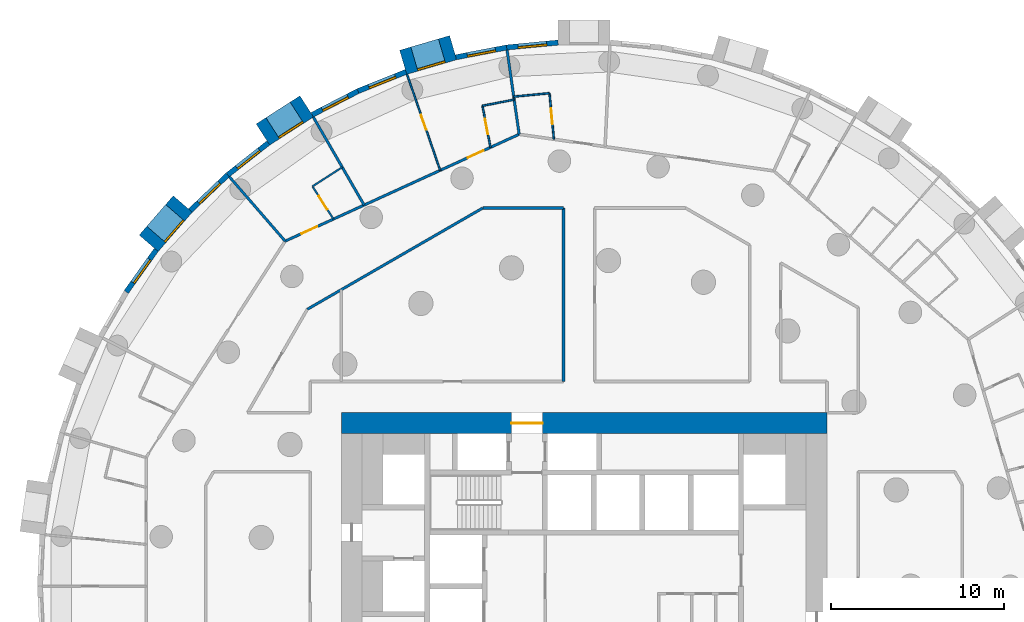
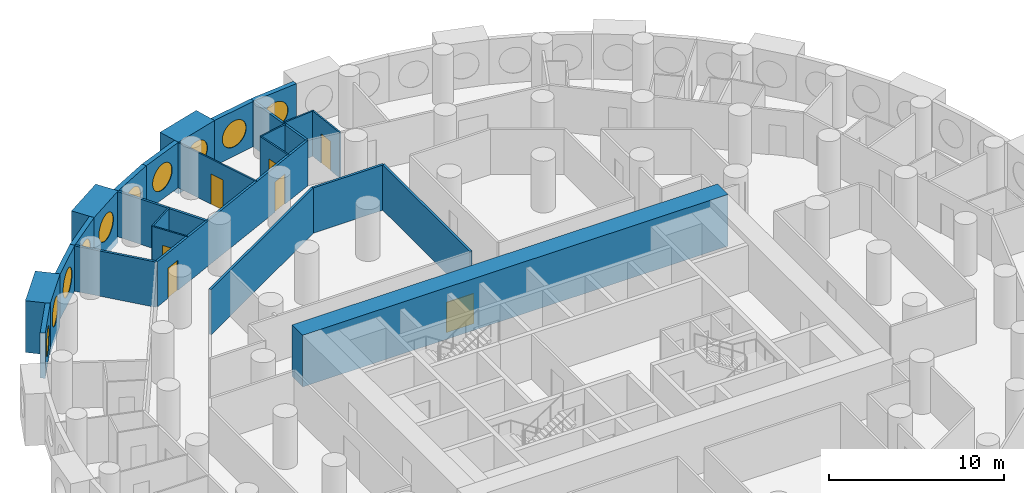
# One storey, part 8 of 12: 25 walls, 10 windows, 7 doors, 17 openings.
"""IFC4 building model written with IfcOpenShell, lengths in metres."""

from ifc_helpers import new_model, si_unit, direction, frame, frame_2d, origin, origin_2d, place, context, subcontext, project, spatial, rectangle, circle, extrude, material, layer, layer_set, type_object, element, fill, save


model = new_model("IFC4")

# Units and contexts
model_context = context("Model", 3, precision=1e-05, world=origin(), true_north=direction((0.0, 1.0)))
body_context = subcontext(model_context, "Body", "Model", "MODEL_VIEW")
ifc_project = project(units=[si_unit("LENGTHUNIT", "METRE"), si_unit("AREAUNIT", "SQUARE_METRE"), si_unit("VOLUMEUNIT", "CUBIC_METRE"), si_unit("PLANEANGLEUNIT", "RADIAN"), si_unit("MASSUNIT", "GRAM", prefix="KILO")], contexts=[model_context])

# Site, building, storey
site_placement = place(None, origin())
site = spatial("IfcSite", under=ifc_project, at=site_placement, CompositionType="ELEMENT")
building_placement = place(site_placement, origin())
building = spatial("IfcBuilding", under=site, at=building_placement, Name="Tracery Tower", CompositionType="ELEMENT")
storey_placement = place(building_placement, frame((0.0, 0.0, 111.0)))
storey = spatial("IfcBuildingStorey", under=building, at=storey_placement, Name="L28", CompositionType="ELEMENT", Elevation=111.0)

# Wall, opening, door
ifc_material_1 = material(Name="Concrete C60/75", Category="concrete")
ifc_layer_1 = layer(ifc_material_1, 1.199951171875)
ifc_layer_set_1 = layer_set([ifc_layer_1], Name="Core wall 1200 C60")
wall_type_1 = type_object("IfcWallType", Name="Core wall 1200 C60", PredefinedType="SOLIDWALL", material=ifc_layer_set_1)
wall_1_placement = place(storey_placement, frame((-14.0, 9.39990234375, 0.0), z_axis=(0.0, 0.0, 1.0), x_axis=(1.0, 0.0, 0.0)))
wall_1 = element("IfcWall", 1, at=wall_1_placement, inside=storey, type_object=wall_type_1, Name="L28 outer N", PredefinedType="SOLIDWALL", context=body_context, shape_type="SweptSolid", body=[
    extrude(rectangle(XDim=28.0, YDim=1.199951171875, at=frame_2d((14.0, 0.0))), origin(), (0.0, 0.0, 1.0), 3.60009765625),
])
opening_1_placement = place(wall_1_placement, frame((9.800048828125, 0.0, 0.0)))
opening_1 = element("IfcOpeningElement", 2, at=opening_1_placement, cuts=wall_1, Name="Opening KD13", PredefinedType="OPENING", context=body_context, shape_type="SweptSolid", body=[
    extrude(rectangle(XDim=1.800048828125, YDim=2.10009765625, at=frame_2d((0.89990234375, 1.050048828125))), frame((0.0, 0.60009765625, 0.0), z_axis=(0.0, -1.0, 0.0), x_axis=(1.0, 0.0, 0.0)), (0.0, 0.0, 1.0), 1.199951171875),
])
ifc_material_2 = material(Name="Steel fire door", Category="steel")
door_type_1 = type_object("IfcDoorType", Name="Core exit door 1800 double", OperationType="NOTDEFINED", PredefinedType="DOOR", material=ifc_material_2)
door_1_placement = place(opening_1_placement, origin())
door_1 = element("IfcDoor", 3, at=door_1_placement, inside=storey, type_object=door_type_1, Name="Core exit door", OperationType="DOUBLE_DOOR_SINGLE_SWING", OverallHeight=2.10009765625, OverallWidth=1.800048828125, PredefinedType="DOOR", context=body_context, shape_type="SweptSolid", body=[
    extrude(rectangle(XDim=1.800048828125, YDim=2.10009765625, at=frame_2d((0.89990234375, 1.050048828125))), frame((0.0, 0.02490234375, 0.0), z_axis=(0.0, -1.0, 0.0), x_axis=(1.0, 0.0, 0.0)), (0.0, 0.0, 1.0), 0.050048828125),
])
fill(opening_1, door_1)

# Wall, opening, window
ifc_material_3 = material(Name="Precast concrete C50/60", Category="concrete")
ifc_layer_2 = layer(ifc_material_3, 1.449951171875)
ifc_layer_set_2 = layer_set([ifc_layer_2], Name="Deep-set bay unit 3000 x 3600, slab edge 450")
wall_type_2 = type_object("IfcWallType", Name="Deep-set bay unit 3000 x 3600, slab edge 450", PredefinedType="ELEMENTEDWALL", material=ifc_layer_set_2)
wall_2_placement = place(storey_placement, frame((-7.552001953125, 31.043701171875, -0.449951171875), z_axis=(0.0, 0.0, 1.0), x_axis=(-0.959489813418, -0.281743319258, 0.0)))
wall_2 = element("IfcWall", 4, at=wall_2_placement, inside=storey, type_object=wall_type_2, Name="Deep-set bay unit 20 at L28", PredefinedType="ELEMENTEDWALL", context=body_context, shape_type="SweptSolid", body=[
    extrude(rectangle(XDim=3.0, YDim=1.449951171875, at=frame_2d((1.5, 0.0))), origin(), (0.0, 0.0, 1.0), 3.599853515625),
])
opening_2_placement = place(wall_2_placement, frame((1.5, 0.0, 2.0)))
opening_2 = element("IfcOpeningElement", 5, at=opening_2_placement, cuts=wall_2, Name="Opening WN1", PredefinedType="OPENING", context=body_context, shape_type="SweptSolid", body=[
    extrude(circle(Radius=0.9000244140625, at=origin_2d()), frame((0.0, 0.73486328125, 0.0), z_axis=(0.0, -1.0, 0.0), x_axis=(1.0, 0.0, 0.0)), (0.0, 0.0, 1.0), 1.469970703125),
])
ifc_material_4 = material(Name="Aluminium frame with tinted double glazing", Category="aluminium")
window_type = type_object("IfcWindowType", Name="Round window 1800", PartitioningType="SINGLE_PANEL", PredefinedType="WINDOW", material=ifc_material_4)
window_1_placement = place(opening_2_placement, origin())
window_1 = element("IfcWindow", 6, at=window_1_placement, inside=storey, type_object=window_type, Name="Round window 20 at L28", OverallHeight=1.800048828125, OverallWidth=1.800048828125, PartitioningType="SINGLE_PANEL", PredefinedType="WINDOW", context=body_context, shape_type="SweptSolid", body=[
    extrude(circle(Radius=0.9000244140625, at=origin_2d()), frame((0.0, 0.69482421875, 0.0), z_axis=(0.0, -1.0, 0.0), x_axis=(1.0, 0.0, 0.0)), (0.0, 0.0, 1.0), 0.10009765625),
])
fill(opening_2, window_1)

wall_3_placement = place(storey_placement, frame((-15.9921875, 27.65869140625, -0.449951171875), z_axis=(0.0, 0.0, 1.0), x_axis=(-0.841223422347, -0.540687667415, 0.0)))
wall_3 = element("IfcWall", 7, at=wall_3_placement, inside=storey, type_object=wall_type_2, Name="Deep-set bay unit 23 at L28", PredefinedType="ELEMENTEDWALL", context=body_context, shape_type="SweptSolid", body=[
    extrude(rectangle(XDim=3.0, YDim=1.449951171875, at=frame_2d((1.5, 0.0))), origin(), (0.0, 0.0, 1.0), 3.599853515625),
])
opening_3_placement = place(wall_3_placement, frame((1.5, 0.0, 2.0)))
opening_3 = element("IfcOpeningElement", 8, at=opening_3_placement, cuts=wall_3, Name="Opening WN1", PredefinedType="OPENING", context=body_context, shape_type="SweptSolid", body=[
    extrude(circle(Radius=0.9000244140625, at=origin_2d()), frame((0.0, 0.73486328125, 0.0), z_axis=(0.0, -1.0, 0.0), x_axis=(1.0, 0.0, 0.0)), (0.0, 0.0, 1.0), 1.469970703125),
])
window_2_placement = place(opening_3_placement, origin())
window_2 = element("IfcWindow", 9, at=window_2_placement, inside=storey, type_object=window_type, Name="Round window 23 at L28", OverallHeight=1.800048828125, OverallWidth=1.800048828125, PartitioningType="SINGLE_PANEL", PredefinedType="WINDOW", context=body_context, shape_type="SweptSolid", body=[
    extrude(circle(Radius=0.9000244140625, at=origin_2d()), frame((0.0, 0.69482421875, 0.0), z_axis=(0.0, -1.0, 0.0), x_axis=(1.0, 0.0, 0.0)), (0.0, 0.0, 1.0), 0.10009765625),
])
fill(opening_3, window_2)

wall_4_placement = place(storey_placement, frame((-23.13671875, 22.03271484375, -0.449951171875), z_axis=(0.0, 0.0, 1.0), x_axis=(-0.654890259022, -0.75572398972, 0.0)))
wall_4 = element("IfcWall", 10, at=wall_4_placement, inside=storey, type_object=wall_type_2, Name="Deep-set bay unit 26 at L28", PredefinedType="ELEMENTEDWALL", context=body_context, shape_type="SweptSolid", body=[
    extrude(rectangle(XDim=3.0, YDim=1.449951171875, at=frame_2d((1.5, 0.0))), origin(), (0.0, 0.0, 1.0), 3.599853515625),
])
opening_4_placement = place(wall_4_placement, frame((1.5, 0.0, 2.0)))
opening_4 = element("IfcOpeningElement", 11, at=opening_4_placement, cuts=wall_4, Name="Opening WN1", PredefinedType="OPENING", context=body_context, shape_type="SweptSolid", body=[
    extrude(circle(Radius=0.9000244140625, at=origin_2d()), frame((0.0, 0.73486328125, 0.0), z_axis=(0.0, -1.0, 0.0), x_axis=(1.0, 0.0, 0.0)), (0.0, 0.0, 1.0), 1.469970703125),
])
window_3_placement = place(opening_4_placement, origin())
window_3 = element("IfcWindow", 12, at=window_3_placement, inside=storey, type_object=window_type, Name="Round window 26 at L28", OverallHeight=1.800048828125, OverallWidth=1.800048828125, PartitioningType="SINGLE_PANEL", PredefinedType="WINDOW", context=body_context, shape_type="SweptSolid", body=[
    extrude(circle(Radius=0.9000244140625, at=origin_2d()), frame((0.0, 0.69482421875, 0.0), z_axis=(0.0, -1.0, 0.0), x_axis=(1.0, 0.0, 0.0)), (0.0, 0.0, 1.0), 0.10009765625),
])
fill(opening_4, window_3)

ifc_material_5 = material(Name="Precast concrete C50/60", Category="concrete")
ifc_layer_3 = layer(ifc_material_5, 0.300048828125)
ifc_layer_set_3 = layer_set([ifc_layer_3], Name="Facade panel 3000 x 3150")
wall_type_3 = type_object("IfcWallType", Name="Facade panel 3000 x 3150", PredefinedType="SOLIDWALL", material=ifc_layer_set_3)
wall_5_placement = place(storey_placement, frame((-1.498779296875, 31.33837890625, 0.0), z_axis=(0.0, 0.0, 1.0), x_axis=(-0.995473351551, -0.095041077185, 0.0)))
wall_5 = element("IfcWall", 13, at=wall_5_placement, inside=storey, type_object=wall_type_3, Name="Facade panel 18 at L28", PredefinedType="SOLIDWALL", context=body_context, shape_type="SweptSolid", body=[
    extrude(rectangle(XDim=2.979736328125, YDim=0.300048828125, at=frame_2d((1.48974609375, 0.0))), origin(), (0.0, 0.0, 1.0), 3.14990234375),
])
opening_5_placement = place(wall_5_placement, frame((1.48974609375, 0.0, 1.5498046875)))
opening_5 = element("IfcOpeningElement", 14, at=opening_5_placement, cuts=wall_5, Name="Opening WN1", PredefinedType="OPENING", context=body_context, shape_type="SweptSolid", body=[
    extrude(circle(Radius=0.9000244140625, at=origin_2d()), frame((0.0, 0.159912109375, 0.0), z_axis=(0.0, -1.0, 0.0), x_axis=(1.0, 0.0, 0.0)), (0.0, 0.0, 1.0), 0.320068359375),
])
window_4_placement = place(opening_5_placement, origin())
window_4 = element("IfcWindow", 15, at=window_4_placement, inside=storey, type_object=window_type, Name="Round window 18 at L28", OverallHeight=1.800048828125, OverallWidth=1.800048828125, PartitioningType="SINGLE_PANEL", PredefinedType="WINDOW", context=body_context, shape_type="SweptSolid", body=[
    extrude(circle(Radius=0.9000244140625, at=origin_2d()), frame((0.0, 0.1201171875, 0.0), z_axis=(0.0, -1.0, 0.0), x_axis=(1.0, 0.0, 0.0)), (0.0, 0.0, 1.0), 0.10009765625),
])
fill(opening_5, window_4)

wall_6_placement = place(storey_placement, frame((-4.465087890625, 31.05517578125, 0.0), z_axis=(0.0, 0.0, 1.0), x_axis=(-0.981924535406, -0.189272836848, 0.0)))
wall_6 = element("IfcWall", 16, at=wall_6_placement, inside=storey, type_object=wall_type_3, Name="Facade panel 19 at L28", PredefinedType="SOLIDWALL", context=body_context, shape_type="SweptSolid", body=[
    extrude(rectangle(XDim=2.979736328125, YDim=0.300048828125, at=frame_2d((1.48974609375, 0.0))), origin(), (0.0, 0.0, 1.0), 3.14990234375),
])
opening_6_placement = place(wall_6_placement, frame((1.48974609375, 0.0, 1.5498046875)))
opening_6 = element("IfcOpeningElement", 17, at=opening_6_placement, cuts=wall_6, Name="Opening WN1", PredefinedType="OPENING", context=body_context, shape_type="SweptSolid", body=[
    extrude(circle(Radius=0.9000244140625, at=origin_2d()), frame((0.0, 0.159912109375, 0.0), z_axis=(0.0, -1.0, 0.0), x_axis=(1.0, 0.0, 0.0)), (0.0, 0.0, 1.0), 0.320068359375),
])
window_5_placement = place(opening_6_placement, origin())
window_5 = element("IfcWindow", 18, at=window_5_placement, inside=storey, type_object=window_type, Name="Round window 19 at L28", OverallHeight=1.800048828125, OverallWidth=1.800048828125, PartitioningType="SINGLE_PANEL", PredefinedType="WINDOW", context=body_context, shape_type="SweptSolid", body=[
    extrude(circle(Radius=0.9000244140625, at=origin_2d()), frame((0.0, 0.1201171875, 0.0), z_axis=(0.0, -1.0, 0.0), x_axis=(1.0, 0.0, 0.0)), (0.0, 0.0, 1.0), 0.10009765625),
])
fill(opening_6, window_5)

wall_7_placement = place(storey_placement, frame((-10.26708984375, 29.646484375, 0.0), z_axis=(0.0, 0.0, 1.0), x_axis=(-0.928403213937, -0.371574316054, 0.0)))
wall_7 = element("IfcWall", 19, at=wall_7_placement, inside=storey, type_object=wall_type_3, Name="Facade panel 21 at L28", PredefinedType="SOLIDWALL", context=body_context, shape_type="SweptSolid", body=[
    extrude(rectangle(XDim=2.979736328125, YDim=0.300048828125, at=frame_2d((1.48974609375, 0.0))), origin(), (0.0, 0.0, 1.0), 3.14990234375),
])
opening_7_placement = place(wall_7_placement, frame((1.48974609375, 0.0, 1.5498046875)))
opening_7 = element("IfcOpeningElement", 20, at=opening_7_placement, cuts=wall_7, Name="Opening WN1", PredefinedType="OPENING", context=body_context, shape_type="SweptSolid", body=[
    extrude(circle(Radius=0.9000244140625, at=origin_2d()), frame((0.0, 0.159912109375, 0.0), z_axis=(0.0, -1.0, 0.0), x_axis=(1.0, 0.0, 0.0)), (0.0, 0.0, 1.0), 0.320068359375),
])
window_6_placement = place(opening_7_placement, origin())
window_6 = element("IfcWindow", 21, at=window_6_placement, inside=storey, type_object=window_type, Name="Round window 21 at L28", OverallHeight=1.800048828125, OverallWidth=1.800048828125, PartitioningType="SINGLE_PANEL", PredefinedType="WINDOW", context=body_context, shape_type="SweptSolid", body=[
    extrude(circle(Radius=0.9000244140625, at=origin_2d()), frame((0.0, 0.1201171875, 0.0), z_axis=(0.0, -1.0, 0.0), x_axis=(1.0, 0.0, 0.0)), (0.0, 0.0, 1.0), 0.10009765625),
])
fill(opening_7, window_6)

wall_8_placement = place(storey_placement, frame((-13.033447265625, 28.539306640625, 0.0), z_axis=(0.0, 0.0, 1.0), x_axis=(-0.888819853856, -0.458256770153, 0.0)))
wall_8 = element("IfcWall", 22, at=wall_8_placement, inside=storey, type_object=wall_type_3, Name="Facade panel 22 at L28", PredefinedType="SOLIDWALL", context=body_context, shape_type="SweptSolid", body=[
    extrude(rectangle(XDim=2.979736328125, YDim=0.300048828125, at=frame_2d((1.48974609375, 0.0))), origin(), (0.0, 0.0, 1.0), 3.14990234375),
])
opening_8_placement = place(wall_8_placement, frame((1.48974609375, 0.0, 1.5498046875)))
opening_8 = element("IfcOpeningElement", 23, at=opening_8_placement, cuts=wall_8, Name="Opening WN1", PredefinedType="OPENING", context=body_context, shape_type="SweptSolid", body=[
    extrude(circle(Radius=0.9000244140625, at=origin_2d()), frame((0.0, 0.159912109375, 0.0), z_axis=(0.0, -1.0, 0.0), x_axis=(1.0, 0.0, 0.0)), (0.0, 0.0, 1.0), 0.320068359375),
])
window_7_placement = place(opening_8_placement, origin())
window_7 = element("IfcWindow", 24, at=window_7_placement, inside=storey, type_object=window_type, Name="Round window 22 at L28", OverallHeight=1.800048828125, OverallWidth=1.800048828125, PartitioningType="SINGLE_PANEL", PredefinedType="WINDOW", context=body_context, shape_type="SweptSolid", body=[
    extrude(circle(Radius=0.9000244140625, at=origin_2d()), frame((0.0, 0.1201171875, 0.0), z_axis=(0.0, -1.0, 0.0), x_axis=(1.0, 0.0, 0.0)), (0.0, 0.0, 1.0), 0.10009765625),
])
fill(opening_8, window_7)

wall_9_placement = place(storey_placement, frame((-18.20361328125, 25.55322265625, 0.0), z_axis=(0.0, 0.0, 1.0), x_axis=(-0.786045331304, -0.618168858108, 0.0)))
wall_9 = element("IfcWall", 25, at=wall_9_placement, inside=storey, type_object=wall_type_3, Name="Facade panel 24 at L28", PredefinedType="SOLIDWALL", context=body_context, shape_type="SweptSolid", body=[
    extrude(rectangle(XDim=2.979736328125, YDim=0.300048828125, at=frame_2d((1.48974609375, 0.0))), origin(), (0.0, 0.0, 1.0), 3.14990234375),
])
opening_9_placement = place(wall_9_placement, frame((1.48974609375, 0.0, 1.5498046875)))
opening_9 = element("IfcOpeningElement", 26, at=opening_9_placement, cuts=wall_9, Name="Opening WN1", PredefinedType="OPENING", context=body_context, shape_type="SweptSolid", body=[
    extrude(circle(Radius=0.9000244140625, at=origin_2d()), frame((0.0, 0.159912109375, 0.0), z_axis=(0.0, -1.0, 0.0), x_axis=(1.0, 0.0, 0.0)), (0.0, 0.0, 1.0), 0.320068359375),
])
window_8_placement = place(opening_9_placement, origin())
window_8 = element("IfcWindow", 27, at=window_8_placement, inside=storey, type_object=window_type, Name="Round window 24 at L28", OverallHeight=1.800048828125, OverallWidth=1.800048828125, PartitioningType="SINGLE_PANEL", PredefinedType="WINDOW", context=body_context, shape_type="SweptSolid", body=[
    extrude(circle(Radius=0.9000244140625, at=origin_2d()), frame((0.0, 0.1201171875, 0.0), z_axis=(0.0, -1.0, 0.0), x_axis=(1.0, 0.0, 0.0)), (0.0, 0.0, 1.0), 0.10009765625),
])
fill(opening_9, window_8)

wall_10_placement = place(storey_placement, frame((-20.5458984375, 23.711181640625, 0.0), z_axis=(0.0, 0.0, 1.0), x_axis=(-0.723744206617, -0.690068346896, 0.0)))
wall_10 = element("IfcWall", 28, at=wall_10_placement, inside=storey, type_object=wall_type_3, Name="Facade panel 25 at L28", PredefinedType="SOLIDWALL", context=body_context, shape_type="SweptSolid", body=[
    extrude(rectangle(XDim=2.979736328125, YDim=0.300048828125, at=frame_2d((1.48974609375, 0.0))), origin(), (0.0, 0.0, 1.0), 3.14990234375),
])
opening_10_placement = place(wall_10_placement, frame((1.48974609375, 0.0, 1.5498046875)))
opening_10 = element("IfcOpeningElement", 29, at=opening_10_placement, cuts=wall_10, Name="Opening WN1", PredefinedType="OPENING", context=body_context, shape_type="SweptSolid", body=[
    extrude(circle(Radius=0.9000244140625, at=origin_2d()), frame((0.0, 0.159912109375, 0.0), z_axis=(0.0, -1.0, 0.0), x_axis=(1.0, 0.0, 0.0)), (0.0, 0.0, 1.0), 0.320068359375),
])
window_9_placement = place(opening_10_placement, origin())
window_9 = element("IfcWindow", 30, at=window_9_placement, inside=storey, type_object=window_type, Name="Round window 25 at L28", OverallHeight=1.800048828125, OverallWidth=1.800048828125, PartitioningType="SINGLE_PANEL", PredefinedType="WINDOW", context=body_context, shape_type="SweptSolid", body=[
    extrude(circle(Radius=0.9000244140625, at=origin_2d()), frame((0.0, 0.1201171875, 0.0), z_axis=(0.0, -1.0, 0.0), x_axis=(1.0, 0.0, 0.0)), (0.0, 0.0, 1.0), 0.10009765625),
])
fill(opening_10, window_9)

wall_11_placement = place(storey_placement, frame((-24.66552734375, 19.389404296875, 0.0), z_axis=(0.0, 0.0, 1.0), x_axis=(-0.580059407678, -0.81457417315, 0.0)))
wall_11 = element("IfcWall", 31, at=wall_11_placement, inside=storey, type_object=wall_type_3, Name="Facade panel 27 at L28", PredefinedType="SOLIDWALL", context=body_context, shape_type="SweptSolid", body=[
    extrude(rectangle(XDim=2.9794921875, YDim=0.300048828125, at=frame_2d((1.48974609375, 0.0))), origin(), (0.0, 0.0, 1.0), 3.14990234375),
])
opening_11_placement = place(wall_11_placement, frame((1.48974609375, 0.0, 1.5498046875)))
opening_11 = element("IfcOpeningElement", 32, at=opening_11_placement, cuts=wall_11, Name="Opening WN1", PredefinedType="OPENING", context=body_context, shape_type="SweptSolid", body=[
    extrude(circle(Radius=0.9000244140625, at=origin_2d()), frame((0.0, 0.159912109375, 0.0), z_axis=(0.0, -1.0, 0.0), x_axis=(1.0, 0.0, 0.0)), (0.0, 0.0, 1.0), 0.320068359375),
])
window_10_placement = place(opening_11_placement, origin())
window_10 = element("IfcWindow", 33, at=window_10_placement, inside=storey, type_object=window_type, Name="Round window 27 at L28", OverallHeight=1.800048828125, OverallWidth=1.800048828125, PartitioningType="SINGLE_PANEL", PredefinedType="WINDOW", context=body_context, shape_type="SweptSolid", body=[
    extrude(circle(Radius=0.9000244140625, at=origin_2d()), frame((0.0, 0.1201171875, 0.0), z_axis=(0.0, -1.0, 0.0), x_axis=(1.0, 0.0, 0.0)), (0.0, 0.0, 1.0), 0.10009765625),
])
fill(opening_11, window_10)

# Wall, opening, door
ifc_material_6 = material(Name="Plasterboard on steel studs", Category="steel")
ifc_layer_4 = layer(ifc_material_6, 0.10009765625)
ifc_layer_set_4 = layer_set([ifc_layer_4], Name="Partition 100 stud")
wall_type_4 = type_object("IfcWallType", Name="Partition 100 stud", PredefinedType="PARTITIONING", material=ifc_layer_set_4)
wall_12_placement = place(storey_placement, frame((-10.2119140625, 29.507080078125, 0.0), z_axis=(0.0, 0.0, 1.0), x_axis=(0.32692444056, -0.94505048022, 0.0)))
wall_12 = element("IfcWall", 34, at=wall_12_placement, inside=storey, type_object=wall_type_4, Name="Stud partition RA8-087", PredefinedType="PARTITIONING", context=body_context, shape_type="SweptSolid", body=[
    extrude(rectangle(XDim=5.85693359375, YDim=0.10009765625, at=frame_2d((2.928466796875, 0.0))), origin(), (0.0, 0.0, 1.0), 3.14990234375),
])
opening_12_placement = place(wall_12_placement, frame((2.47900390625, 0.0, 0.0)))
opening_12 = element("IfcOpeningElement", 35, at=opening_12_placement, cuts=wall_12, Name="Opening RA8-27", PredefinedType="OPENING", context=body_context, shape_type="SweptSolid", body=[
    extrude(rectangle(XDim=0.89990234375, YDim=2.10009765625, at=frame_2d((0.449951171875, 1.050048828125))), frame((0.0, 0.050048828125, 0.0), z_axis=(0.0, -1.0, 0.0), x_axis=(1.0, 0.0, 0.0)), (0.0, 0.0, 1.0), 0.10009765625),
])
ifc_material_7 = material(Name="Timber door leaf", Category="wood")
door_type_2 = type_object("IfcDoorType", Name="Door bedroom 900", OperationType="NOTDEFINED", PredefinedType="DOOR", material=ifc_material_7)
door_2_placement = place(opening_12_placement, origin())
door_2 = element("IfcDoor", 36, at=door_2_placement, inside=storey, type_object=door_type_2, Name="Bedroom door RA8-27", OperationType="SINGLE_SWING_LEFT", OverallHeight=2.10009765625, OverallWidth=0.89990234375, PredefinedType="DOOR", context=body_context, shape_type="SweptSolid", body=[
    extrude(rectangle(XDim=0.89990234375, YDim=2.10009765625, at=frame_2d((0.449951171875, 1.050048828125))), frame((0.0, 0.02490234375, 0.0), z_axis=(0.0, -1.0, 0.0), x_axis=(1.0, 0.0, 0.0)), (0.0, 0.0, 1.0), 0.050048828125),
])
fill(opening_12, door_2)

ifc_material_8 = material(Name="Plasterboard on steel studs", Category="steel")
ifc_layer_5 = layer(ifc_material_8, 0.10009765625)
ifc_layer_set_5 = layer_set([ifc_layer_5], Name="Partition 100 wet wall")
wall_type_5 = type_object("IfcWallType", Name="Partition 100 wet wall", PredefinedType="PARTITIONING", material=ifc_layer_set_5)
wall_13_placement = place(storey_placement, frame((-1.99609375, 28.41796875, 0.0), z_axis=(0.0, 0.0, 1.0), x_axis=(0.094925726797, -0.995484357683, 0.0)))
wall_13 = element("IfcWall", 37, at=wall_13_placement, inside=storey, type_object=wall_type_5, Name="Wet wall RA8-084", PredefinedType="PARTITIONING", context=body_context, shape_type="SweptSolid", body=[
    extrude(rectangle(XDim=2.6669921875, YDim=0.10009765625, at=frame_2d((1.33349609375, 0.0))), origin(), (0.0, 0.0, 1.0), 3.14990234375),
])
opening_13_placement = place(wall_13_placement, frame((0.883056640625, 0.0, 0.0)))
opening_13 = element("IfcOpeningElement", 38, at=opening_13_placement, cuts=wall_13, Name="Opening RA8-25", PredefinedType="OPENING", context=body_context, shape_type="SweptSolid", body=[
    extrude(rectangle(XDim=0.89990234375, YDim=2.0400390625, at=frame_2d((0.449951171875, 1.02001953125))), frame((0.0, 0.050048828125, 0.0), z_axis=(0.0, -1.0, 0.0), x_axis=(1.0, 0.0, 0.0)), (0.0, 0.0, 1.0), 0.10009765625),
])
ifc_material_9 = material(Name="Timber door leaf", Category="wood")
door_type_3 = type_object("IfcDoorType", Name="Door en-suite 900", OperationType="NOTDEFINED", PredefinedType="DOOR", material=ifc_material_9)
door_3_placement = place(opening_13_placement, origin())
door_3 = element("IfcDoor", 39, at=door_3_placement, inside=storey, type_object=door_type_3, Name="En-suite door RA8-25", OperationType="SINGLE_SWING_RIGHT", OverallHeight=2.0400390625, OverallWidth=0.89990234375, PredefinedType="DOOR", context=body_context, shape_type="SweptSolid", body=[
    extrude(rectangle(XDim=0.89990234375, YDim=2.0400390625, at=frame_2d((0.449951171875, 1.02001953125))), frame((0.0, 0.02490234375, 0.0), z_axis=(0.0, -1.0, 0.0), x_axis=(1.0, 0.0, 0.0)), (0.0, 0.0, 1.0), 0.050048828125),
])
fill(opening_13, door_3)

# Walls
wall_14_placement = place(storey_placement, frame((-4.05810546875, 28.220947265625, 0.0), z_axis=(0.0, 0.0, 1.0), x_axis=(0.995466291052, 0.095115000814, 0.0)))
element("IfcWall", 40, at=wall_14_placement, inside=storey, type_object=wall_type_5, Name="Wet wall RA8-085", PredefinedType="PARTITIONING", context=body_context, shape_type="SweptSolid", body=[
    extrude(rectangle(XDim=2.0712890625, YDim=0.10009765625, at=frame_2d((1.03564453125, 0.0))), origin(), (0.0, 0.0, 1.0), 3.14990234375),
])
wall_15_placement = place(storey_placement, frame((-5.861083984375, 27.694091796875, 0.0), z_axis=(0.0, 0.0, 1.0), x_axis=(0.981879093558, 0.189508431565, 0.0)))
element("IfcWall", 41, at=wall_15_placement, inside=storey, type_object=wall_type_5, Name="Wet wall RA8-088", PredefinedType="PARTITIONING", context=body_context, shape_type="SweptSolid", body=[
    extrude(rectangle(XDim=1.86279296875, YDim=0.10009765625, at=frame_2d((0.931396484375, 0.0))), origin(), (0.0, 0.0, 1.0), 3.14990234375),
])

# Wall, opening, door
wall_16_placement = place(storey_placement, frame((-5.861083984375, 27.694091796875, 0.0), z_axis=(0.0, 0.0, 1.0), x_axis=(0.189229262293, -0.981932933704, 0.0)))
wall_16 = element("IfcWall", 42, at=wall_16_placement, inside=storey, type_object=wall_type_5, Name="Wet wall RA8-089", PredefinedType="PARTITIONING", context=body_context, shape_type="SweptSolid", body=[
    extrude(rectangle(XDim=2.4423828125, YDim=0.10009765625, at=frame_2d((1.22119140625, 0.0))), origin(), (0.0, 0.0, 1.0), 3.14990234375),
])
opening_14_placement = place(wall_16_placement, frame((0.77099609375, 0.0, 0.0)))
opening_14 = element("IfcOpeningElement", 43, at=opening_14_placement, cuts=wall_16, Name="Opening RA8-28", PredefinedType="OPENING", context=body_context, shape_type="SweptSolid", body=[
    extrude(rectangle(XDim=0.89990234375, YDim=2.0, at=frame_2d((0.449951171875, 1.0))), frame((0.0, 0.050048828125, 0.0), z_axis=(0.0, -1.0, 0.0), x_axis=(1.0, 0.0, 0.0)), (0.0, 0.0, 1.0), 0.10009765625),
])
ifc_material_10 = material(Name="Timber door leaf", Category="wood")
door_type_4 = type_object("IfcDoorType", Name="Door shower room 900", OperationType="NOTDEFINED", PredefinedType="DOOR", material=ifc_material_10)
door_4_placement = place(opening_14_placement, origin())
door_4 = element("IfcDoor", 44, at=door_4_placement, inside=storey, type_object=door_type_4, Name="Shower room door RA8-28", OperationType="SINGLE_SWING_LEFT", OverallHeight=2.0, OverallWidth=0.89990234375, PredefinedType="DOOR", context=body_context, shape_type="SweptSolid", body=[
    extrude(rectangle(XDim=0.89990234375, YDim=2.0, at=frame_2d((0.449951171875, 1.0))), frame((0.0, 0.02490234375, 0.0), z_axis=(0.0, -1.0, 0.0), x_axis=(1.0, 0.0, 0.0)), (0.0, 0.0, 1.0), 0.050048828125),
])
fill(opening_14, door_4)

# Wall
wall_17_placement = place(storey_placement, frame((-15.660888671875, 23.048095703125, 0.0), z_axis=(0.0, 0.0, 1.0), x_axis=(0.84110074148, 0.540878491606, 0.0)))
element("IfcWall", 45, at=wall_17_placement, inside=storey, type_object=wall_type_5, Name="Wet wall RA8-091", PredefinedType="PARTITIONING", context=body_context, shape_type="SweptSolid", body=[
    extrude(rectangle(XDim=2.041015625, YDim=0.10009765625, at=frame_2d((1.0205078125, 0.0))), origin(), (0.0, 0.0, 1.0), 3.14990234375),
])

# Wall, opening, door
wall_18_placement = place(storey_placement, frame((-15.660888671875, 23.048095703125, 0.0), z_axis=(0.0, 0.0, 1.0), x_axis=(0.540796133976, -0.841153696702, 0.0)))
wall_18 = element("IfcWall", 46, at=wall_18_placement, inside=storey, type_object=wall_type_5, Name="Wet wall RA8-092", PredefinedType="PARTITIONING", context=body_context, shape_type="SweptSolid", body=[
    extrude(rectangle(XDim=2.240966796875, YDim=0.10009765625, at=frame_2d((1.12060546875, 0.0))), origin(), (0.0, 0.0, 1.0), 3.14990234375),
])
opening_15_placement = place(wall_18_placement, frame((0.6708984375, 0.0, 0.0)))
opening_15 = element("IfcOpeningElement", 47, at=opening_15_placement, cuts=wall_18, Name="Opening RA8-30", PredefinedType="OPENING", context=body_context, shape_type="SweptSolid", body=[
    extrude(rectangle(XDim=0.89990234375, YDim=2.0400390625, at=frame_2d((0.449951171875, 1.02001953125))), frame((0.0, 0.050048828125, 0.0), z_axis=(0.0, -1.0, 0.0), x_axis=(1.0, 0.0, 0.0)), (0.0, 0.0, 1.0), 0.10009765625),
])
door_5_placement = place(opening_15_placement, origin())
door_5 = element("IfcDoor", 48, at=door_5_placement, inside=storey, type_object=door_type_3, Name="En-suite door RA8-30", OperationType="SINGLE_SWING_RIGHT", OverallHeight=2.0400390625, OverallWidth=0.89990234375, PredefinedType="DOOR", context=body_context, shape_type="SweptSolid", body=[
    extrude(rectangle(XDim=0.89990234375, YDim=2.0400390625, at=frame_2d((0.449951171875, 1.02001953125))), frame((0.0, 0.02490234375, 0.0), z_axis=(0.0, -1.0, 0.0), x_axis=(1.0, 0.0, 0.0)), (0.0, 0.0, 1.0), 0.050048828125),
])
fill(opening_15, door_5)

# Walls
ifc_material_11 = material(Name="Plasterboard on steel studs", Category="steel")
ifc_layer_6 = layer(ifc_material_11, 0.14990234375)
ifc_layer_set_6 = layer_set([ifc_layer_6], Name="Partition 150 acoustic unit wall")
wall_type_6 = type_object("IfcWallType", Name="Partition 150 acoustic unit wall", PredefinedType="PARTITIONING", material=ifc_layer_set_6)
wall_19_placement = place(storey_placement, frame((-4.444091796875, 30.906005859375, 0.0), z_axis=(0.0, 0.0, 1.0), x_axis=(0.142306296561, -0.989822669956, 0.0)))
element("IfcWall", 49, at=wall_19_placement, inside=storey, type_object=wall_type_6, Name="Unit wall RA8-086", PredefinedType="PARTITIONING", context=body_context, shape_type="SweptSolid", body=[
    extrude(rectangle(XDim=4.90478515625, YDim=0.14990234375, at=frame_2d((2.452392578125, 0.0))), origin(), (0.0, 0.0, 1.0), 3.14990234375),
])
wall_20_placement = place(storey_placement, frame((-15.612060546875, 27.041015625, 0.0), z_axis=(0.0, 0.0, 1.0), x_axis=(0.50008450438, -0.86597660966, 0.0)))
element("IfcWall", 50, at=wall_20_placement, inside=storey, type_object=wall_type_6, Name="Unit wall RA8-090", PredefinedType="PARTITIONING", context=body_context, shape_type="SweptSolid", body=[
    extrude(rectangle(XDim=5.8564453125, YDim=0.14990234375, at=frame_2d((2.92822265625, 0.0))), origin(), (0.0, 0.0, 1.0), 3.14990234375),
])
wall_21_placement = place(storey_placement, frame((-20.447998046875, 23.597900390625, 0.0), z_axis=(0.0, 0.0, 1.0), x_axis=(0.654953271538, -0.755669380153, 0.0)))
element("IfcWall", 51, at=wall_21_placement, inside=storey, type_object=wall_type_6, Name="Unit wall RA8-093", PredefinedType="PARTITIONING", context=body_context, shape_type="SweptSolid", body=[
    extrude(rectangle(XDim=4.90625, YDim=0.14990234375, at=frame_2d((2.453125, 0.0))), origin(), (0.0, 0.0, 1.0), 3.14990234375),
])
ifc_material_12 = material(Name="Plasterboard on steel studs", Category="steel")
ifc_layer_7 = layer(ifc_material_12, 0.14990234375)
ifc_layer_set_7 = layer_set([ifc_layer_7], Name="Partition 150 corridor wall")
wall_type_7 = type_object("IfcWallType", Name="Partition 150 corridor wall", PredefinedType="PARTITIONING", material=ifc_layer_set_7)
wall_22_placement = place(storey_placement, frame((-1.19189453125, 11.800048828125, 0.0), z_axis=(0.0, 0.0, 1.0), x_axis=(0.0, 1.0, 0.0)))
element("IfcWall", 52, at=wall_22_placement, inside=storey, type_object=wall_type_7, Name="Corridor wall RA8-025", PredefinedType="PARTITIONING", context=body_context, shape_type="SweptSolid", body=[
    extrude(rectangle(XDim=10.001953125, YDim=0.14990234375, at=frame_2d((5.0009765625, 0.0))), origin(), (0.0, 0.0, 1.0), 3.14990234375),
])
wall_23_placement = place(storey_placement, frame((-5.842041015625, 21.802001953125, 0.0), z_axis=(0.0, 0.0, 1.0), x_axis=(1.0, 0.0, 0.0)))
element("IfcWall", 53, at=wall_23_placement, inside=storey, type_object=wall_type_7, Name="Corridor wall RA8-026", PredefinedType="PARTITIONING", context=body_context, shape_type="SweptSolid", body=[
    extrude(rectangle(XDim=4.650146484375, YDim=0.14990234375, at=frame_2d((2.3251953125, 0.0))), origin(), (0.0, 0.0, 1.0), 3.14990234375),
])
wall_24_placement = place(storey_placement, frame((-15.960205078125, 15.960205078125, 0.0), z_axis=(0.0, 0.0, 1.0), x_axis=(0.866022730501, 0.500004630234, 0.0)))
element("IfcWall", 54, at=wall_24_placement, inside=storey, type_object=wall_type_7, Name="Corridor wall RA8-027", PredefinedType="PARTITIONING", context=body_context, shape_type="SweptSolid", body=[
    extrude(rectangle(XDim=11.68359375, YDim=0.14990234375, at=frame_2d((5.841796875, 0.0))), origin(), (0.0, 0.0, 1.0), 3.14990234375),
])

# Wall, openings, doors
wall_25_placement = place(storey_placement, frame((-17.235595703125, 19.89111328125, 0.0), z_axis=(0.0, 0.0, 1.0), x_axis=(0.909645678785, 0.415385049163, 0.0)))
wall_25 = element("IfcWall", 55, at=wall_25_placement, inside=storey, type_object=wall_type_7, Name="Corridor wall RA8-035", PredefinedType="PARTITIONING", context=body_context, shape_type="SweptSolid", body=[
    extrude(rectangle(XDim=14.829345703125, YDim=0.14990234375, at=frame_2d((7.41455078125, 0.0))), origin(), (0.0, 0.0, 1.0), 3.14990234375),
])
opening_16_placement = place(wall_25_placement, frame((11.569091796875, 0.0, 0.0)))
opening_16 = element("IfcOpeningElement", 56, at=opening_16_placement, cuts=wall_25, Name="Opening RA8-29", PredefinedType="OPENING", context=body_context, shape_type="SweptSolid", body=[
    extrude(rectangle(XDim=1.0, YDim=2.10009765625, at=frame_2d((0.5, 1.050048828125))), frame((0.0, 0.074951171875, 0.0), z_axis=(0.0, -1.0, 0.0), x_axis=(1.0, 0.0, 0.0)), (0.0, 0.0, 1.0), 0.14990234375),
])
opening_17_placement = place(wall_25_placement, frame((1.033935546875, 0.0, 0.0)))
opening_17 = element("IfcOpeningElement", 57, at=opening_17_placement, cuts=wall_25, Name="Opening RA8-31", PredefinedType="OPENING", context=body_context, shape_type="SweptSolid", body=[
    extrude(rectangle(XDim=1.0, YDim=2.10009765625, at=frame_2d((0.5, 1.050048828125))), frame((0.0, 0.074951171875, 0.0), z_axis=(0.0, -1.0, 0.0), x_axis=(1.0, 0.0, 0.0)), (0.0, 0.0, 1.0), 0.14990234375),
])
ifc_material_13 = material(Name="Timber door leaf", Category="wood")
door_type_5 = type_object("IfcDoorType", Name="Door unit entrance 1000", OperationType="NOTDEFINED", PredefinedType="DOOR", material=ifc_material_13)
door_6_placement = place(opening_16_placement, origin())
door_6 = element("IfcDoor", 58, at=door_6_placement, inside=storey, type_object=door_type_5, Name="Unit entrance door RA8-29", OperationType="SINGLE_SWING_RIGHT", OverallHeight=2.10009765625, OverallWidth=1.0, PredefinedType="DOOR", context=body_context, shape_type="SweptSolid", body=[
    extrude(rectangle(XDim=1.0, YDim=2.10009765625, at=frame_2d((0.5, 1.050048828125))), frame((0.0, 0.02490234375, 0.0), z_axis=(0.0, -1.0, 0.0), x_axis=(1.0, 0.0, 0.0)), (0.0, 0.0, 1.0), 0.050048828125),
])
fill(opening_16, door_6)
door_7_placement = place(opening_17_placement, origin())
door_7 = element("IfcDoor", 59, at=door_7_placement, inside=storey, type_object=door_type_5, Name="Unit entrance door RA8-31", OperationType="SINGLE_SWING_RIGHT", OverallHeight=2.10009765625, OverallWidth=1.0, PredefinedType="DOOR", context=body_context, shape_type="SweptSolid", body=[
    extrude(rectangle(XDim=1.0, YDim=2.10009765625, at=frame_2d((0.5, 1.050048828125))), frame((0.0, 0.02490234375, 0.0), z_axis=(0.0, -1.0, 0.0), x_axis=(1.0, 0.0, 0.0)), (0.0, 0.0, 1.0), 0.050048828125),
])
fill(opening_17, door_7)

save(model, "model.ifc")
